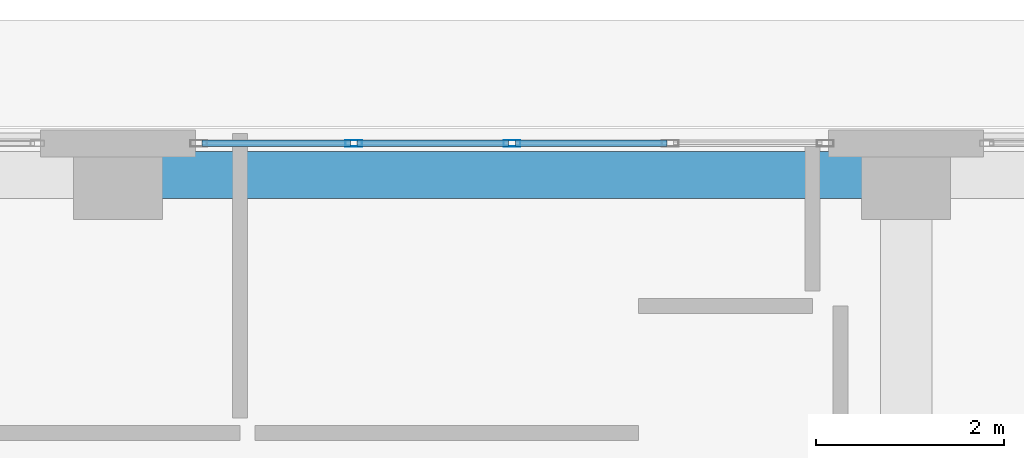
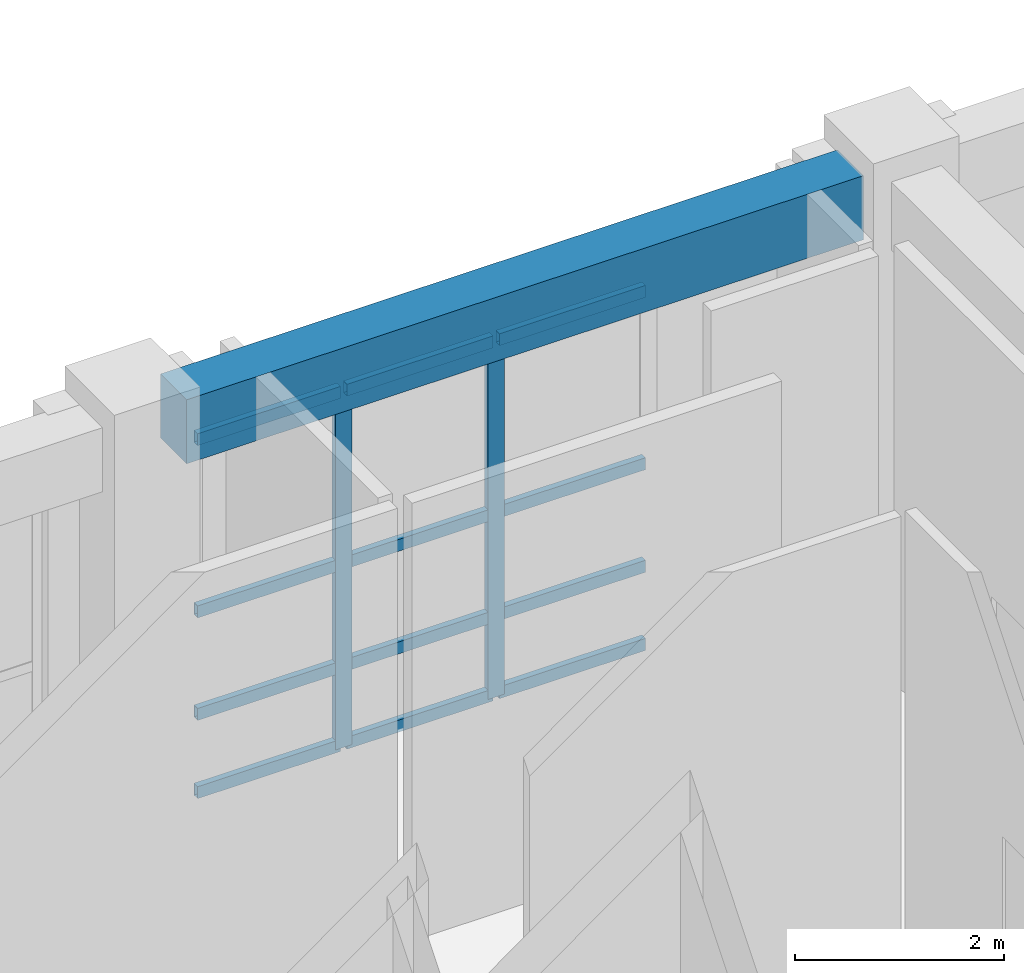
# One storey, part 62 of 148: 14 members, 1 beam, 1 element without a shape of its own.
"""IFC4 building model written with IfcOpenShell, lengths in metres."""

from ifc_helpers import new_model, si_unit, direction, frame, origin, origin_2d, place, context, subcontext, project, spatial, rectangle, hollow_rectangle, extrude, material, layer, layer_set, material_profile, profile_set, type_object, element, aggregate, save


model = new_model("IFC4")

# Units and contexts
model_context = context("Model", 3, precision=1e-05, world=origin(), true_north=direction((0.0, 1.0)))
body_context = subcontext(model_context, "Body", "Model", "MODEL_VIEW")
ifc_project = project(units=[si_unit("LENGTHUNIT", "METRE"), si_unit("AREAUNIT", "SQUARE_METRE"), si_unit("VOLUMEUNIT", "CUBIC_METRE"), si_unit("PLANEANGLEUNIT", "RADIAN"), si_unit("MASSUNIT", "GRAM", prefix="KILO")], contexts=[model_context])

# Site, building, storey
site_placement = place(None, origin())
site = spatial("IfcSite", under=ifc_project, at=site_placement, CompositionType="ELEMENT")
building_placement = place(site_placement, origin())
building = spatial("IfcBuilding", under=site, at=building_placement, Name="Quendrovan Civic Courthouse", CompositionType="ELEMENT")
storey_placement = place(building_placement, origin())
storey = spatial("IfcBuildingStorey", under=building, at=storey_placement, Name="L01", CompositionType="ELEMENT", Elevation=0.0)

# Beam
ifc_material_1 = material(Name="Concrete C40/50", Category="concrete")
ifc_material_profile_1 = material_profile(ifc_material_1, rectangle(XDim=0.5, YDim=0.75, at=origin_2d()), Name="RC-BM-500x750")
ifc_profile_set_1 = profile_set([ifc_material_profile_1], Name="Concrete C40/50")
beam_type = type_object("IfcBeamType", Name="BM-RC750", PredefinedType="SPANDREL", material=ifc_profile_set_1)
beam_placement = place(storey_placement, frame((59.2548828125, 109.89990234375, 4.7451171875), z_axis=(1.0, 0.0, 0.0), x_axis=(0.0, 1.0, 0.0)))
element("IfcBeam", 1, at=beam_placement, inside=storey, type_object=beam_type, Name="L01 Girder X0359", PredefinedType="SPANDREL", context=body_context, shape_type="SweptSolid", body=[
    extrude(rectangle(XDim=0.5, YDim=0.75, at=origin_2d()), origin(), (0.0, 0.0, 1.0), 7.490234375),
])

# Curtain wall, members
ifc_material_2 = material(Name="Bronze anodised aluminium and low-E glass", Category="aluminium")
ifc_layer = layer(ifc_material_2, 0.179931640625, Name="Bronze anodised aluminium and low-E glass")
ifc_layer_set = layer_set([ifc_layer], Name="Bronze anodised aluminium and low-E glass")
curtain_wall_type = type_object("IfcCurtainWallType", Name="CW-U68x42", PredefinedType="USERDEFINED", material=ifc_layer_set)
curtain_wall_placement = place(storey_placement, origin())
curtain_wall = element("IfcCurtainWall", 2, at=curtain_wall_placement, inside=storey, type_object=curtain_wall_type, Name="L01 Unitised Hurricane Curtain Wall CW-028", ObjectType="UNITISED CURTAIN WALL", PredefinedType="USERDEFINED")
ifc_material_3 = material(Name="Bronze anodised aluminium", Category="aluminium")
ifc_material_profile_2 = material_profile(ifc_material_3, hollow_rectangle(XDim=0.070068359375, YDim=0.179931640625, WallThickness=0.00390625, at=origin_2d()), Name="CW-MULL-70x180")
ifc_profile_set_2 = profile_set([ifc_material_profile_2], Name="Bronze anodised aluminium")
member_type_1 = type_object("IfcMemberType", Name="CW-MULL-A", PredefinedType="MULLION", material=ifc_profile_set_2)
member_1_placement = place(storey_placement, frame((61.3125, 110.235107421875, 0.0), z_axis=(0.0, 0.0, 1.0), x_axis=(0.0, 1.0, 0.0)))
member_1 = element("IfcMember", 3, at=member_1_placement, type_object=member_type_1, Name="CW-028 mullion 2", PredefinedType="MULLION", context=body_context, shape_type="SweptSolid", body=[
    extrude(hollow_rectangle(XDim=0.070068359375, YDim=0.179931640625, WallThickness=0.00390625, at=origin_2d()), origin(), (0.0, 0.0, 1.0), 4.199951171875),
])
member_2_placement = place(storey_placement, frame((63.0, 110.235107421875, 0.0), z_axis=(0.0, 0.0, 1.0), x_axis=(0.0, 1.0, 0.0)))
member_2 = element("IfcMember", 4, at=member_2_placement, type_object=member_type_1, Name="CW-028 mullion 3", PredefinedType="MULLION", context=body_context, shape_type="SweptSolid", body=[
    extrude(hollow_rectangle(XDim=0.070068359375, YDim=0.179931640625, WallThickness=0.00390625, at=origin_2d()), origin(), (0.0, 0.0, 1.0), 4.199951171875),
])
ifc_material_profile_3 = material_profile(ifc_material_3, hollow_rectangle(XDim=0.070068359375, YDim=0.139892578125, WallThickness=0.00390625, at=origin_2d()), Name="CW-TRAN-70x140")
ifc_profile_set_3 = profile_set([ifc_material_profile_3], Name="Bronze anodised aluminium")
member_type_2 = type_object("IfcMemberType", Name="CW-TRAN-A", PredefinedType="USERDEFINED", material=ifc_profile_set_3)
member_3_placement = place(storey_placement, frame((59.695068359375, 110.235107421875, 0.034912109375), z_axis=(1.0, 0.0, 0.0), x_axis=(0.0, 1.0, 0.0)))
member_3 = element("IfcMember", 5, at=member_3_placement, type_object=member_type_2, Name="CW-028 transom 1.1", ObjectType="TRANSOM", PredefinedType="USERDEFINED", context=body_context, shape_type="SweptSolid", body=[
    extrude(hollow_rectangle(XDim=0.070068359375, YDim=0.139892578125, WallThickness=0.00390625, at=origin_2d()), origin(), (0.0, 0.0, 1.0), 1.58251953125),
])
member_4_placement = place(storey_placement, frame((59.695068359375, 110.235107421875, 0.949951171875), z_axis=(1.0, 0.0, 0.0), x_axis=(0.0, 1.0, 0.0)))
member_4 = element("IfcMember", 6, at=member_4_placement, type_object=member_type_2, Name="CW-028 transom 1.2", ObjectType="TRANSOM", PredefinedType="USERDEFINED", context=body_context, shape_type="SweptSolid", body=[
    extrude(hollow_rectangle(XDim=0.070068359375, YDim=0.139892578125, WallThickness=0.00390625, at=origin_2d()), origin(), (0.0, 0.0, 1.0), 1.58251953125),
])
member_5_placement = place(storey_placement, frame((59.695068359375, 110.235107421875, 2.14990234375), z_axis=(1.0, 0.0, 0.0), x_axis=(0.0, 1.0, 0.0)))
member_5 = element("IfcMember", 7, at=member_5_placement, type_object=member_type_2, Name="CW-028 transom 1.3", ObjectType="TRANSOM", PredefinedType="USERDEFINED", context=body_context, shape_type="SweptSolid", body=[
    extrude(hollow_rectangle(XDim=0.070068359375, YDim=0.139892578125, WallThickness=0.00390625, at=origin_2d()), origin(), (0.0, 0.0, 1.0), 1.58251953125),
])
member_6_placement = place(storey_placement, frame((59.695068359375, 110.235107421875, 4.1650390625), z_axis=(1.0, 0.0, 0.0), x_axis=(0.0, 1.0, 0.0)))
member_6 = element("IfcMember", 8, at=member_6_placement, type_object=member_type_2, Name="CW-028 transom 1.4", ObjectType="TRANSOM", PredefinedType="USERDEFINED", context=body_context, shape_type="SweptSolid", body=[
    extrude(hollow_rectangle(XDim=0.070068359375, YDim=0.139892578125, WallThickness=0.00390625, at=origin_2d()), origin(), (0.0, 0.0, 1.0), 1.58251953125),
])
member_7_placement = place(storey_placement, frame((61.347412109375, 110.235107421875, 0.034912109375), z_axis=(1.0, 0.0, 0.0), x_axis=(0.0, 1.0, 0.0)))
member_7 = element("IfcMember", 9, at=member_7_placement, type_object=member_type_2, Name="CW-028 transom 2.1", ObjectType="TRANSOM", PredefinedType="USERDEFINED", context=body_context, shape_type="SweptSolid", body=[
    extrude(hollow_rectangle(XDim=0.070068359375, YDim=0.139892578125, WallThickness=0.00390625, at=origin_2d()), origin(), (0.0, 0.0, 1.0), 1.61767578125),
])
member_8_placement = place(storey_placement, frame((61.347412109375, 110.235107421875, 0.949951171875), z_axis=(1.0, 0.0, 0.0), x_axis=(0.0, 1.0, 0.0)))
member_8 = element("IfcMember", 10, at=member_8_placement, type_object=member_type_2, Name="CW-028 transom 2.2", ObjectType="TRANSOM", PredefinedType="USERDEFINED", context=body_context, shape_type="SweptSolid", body=[
    extrude(hollow_rectangle(XDim=0.070068359375, YDim=0.139892578125, WallThickness=0.00390625, at=origin_2d()), origin(), (0.0, 0.0, 1.0), 1.61767578125),
])
member_9_placement = place(storey_placement, frame((61.347412109375, 110.235107421875, 2.14990234375), z_axis=(1.0, 0.0, 0.0), x_axis=(0.0, 1.0, 0.0)))
member_9 = element("IfcMember", 11, at=member_9_placement, type_object=member_type_2, Name="CW-028 transom 2.3", ObjectType="TRANSOM", PredefinedType="USERDEFINED", context=body_context, shape_type="SweptSolid", body=[
    extrude(hollow_rectangle(XDim=0.070068359375, YDim=0.139892578125, WallThickness=0.00390625, at=origin_2d()), origin(), (0.0, 0.0, 1.0), 1.61767578125),
])
member_10_placement = place(storey_placement, frame((61.347412109375, 110.235107421875, 4.1650390625), z_axis=(1.0, 0.0, 0.0), x_axis=(0.0, 1.0, 0.0)))
member_10 = element("IfcMember", 12, at=member_10_placement, type_object=member_type_2, Name="CW-028 transom 2.4", ObjectType="TRANSOM", PredefinedType="USERDEFINED", context=body_context, shape_type="SweptSolid", body=[
    extrude(hollow_rectangle(XDim=0.070068359375, YDim=0.139892578125, WallThickness=0.00390625, at=origin_2d()), origin(), (0.0, 0.0, 1.0), 1.61767578125),
])
member_11_placement = place(storey_placement, frame((63.034912109375, 110.235107421875, 0.034912109375), z_axis=(1.0, 0.0, 0.0), x_axis=(0.0, 1.0, 0.0)))
member_11 = element("IfcMember", 13, at=member_11_placement, type_object=member_type_2, Name="CW-028 transom 3.1", ObjectType="TRANSOM", PredefinedType="USERDEFINED", context=body_context, shape_type="SweptSolid", body=[
    extrude(hollow_rectangle(XDim=0.070068359375, YDim=0.139892578125, WallThickness=0.00390625, at=origin_2d()), origin(), (0.0, 0.0, 1.0), 1.61767578125),
])
member_12_placement = place(storey_placement, frame((63.034912109375, 110.235107421875, 0.949951171875), z_axis=(1.0, 0.0, 0.0), x_axis=(0.0, 1.0, 0.0)))
member_12 = element("IfcMember", 14, at=member_12_placement, type_object=member_type_2, Name="CW-028 transom 3.2", ObjectType="TRANSOM", PredefinedType="USERDEFINED", context=body_context, shape_type="SweptSolid", body=[
    extrude(hollow_rectangle(XDim=0.070068359375, YDim=0.139892578125, WallThickness=0.00390625, at=origin_2d()), origin(), (0.0, 0.0, 1.0), 1.61767578125),
])
member_13_placement = place(storey_placement, frame((63.034912109375, 110.235107421875, 2.14990234375), z_axis=(1.0, 0.0, 0.0), x_axis=(0.0, 1.0, 0.0)))
member_13 = element("IfcMember", 15, at=member_13_placement, type_object=member_type_2, Name="CW-028 transom 3.3", ObjectType="TRANSOM", PredefinedType="USERDEFINED", context=body_context, shape_type="SweptSolid", body=[
    extrude(hollow_rectangle(XDim=0.070068359375, YDim=0.139892578125, WallThickness=0.00390625, at=origin_2d()), origin(), (0.0, 0.0, 1.0), 1.61767578125),
])
member_14_placement = place(storey_placement, frame((63.034912109375, 110.235107421875, 4.1650390625), z_axis=(1.0, 0.0, 0.0), x_axis=(0.0, 1.0, 0.0)))
member_14 = element("IfcMember", 16, at=member_14_placement, type_object=member_type_2, Name="CW-028 transom 3.4", ObjectType="TRANSOM", PredefinedType="USERDEFINED", context=body_context, shape_type="SweptSolid", body=[
    extrude(hollow_rectangle(XDim=0.070068359375, YDim=0.139892578125, WallThickness=0.00390625, at=origin_2d()), origin(), (0.0, 0.0, 1.0), 1.61767578125),
])
aggregate(curtain_wall, [member_1, member_2, member_3, member_4, member_5, member_6, member_7, member_8, member_9, member_10, member_11, member_12, member_13, member_14])

save(model, "model.ifc")
